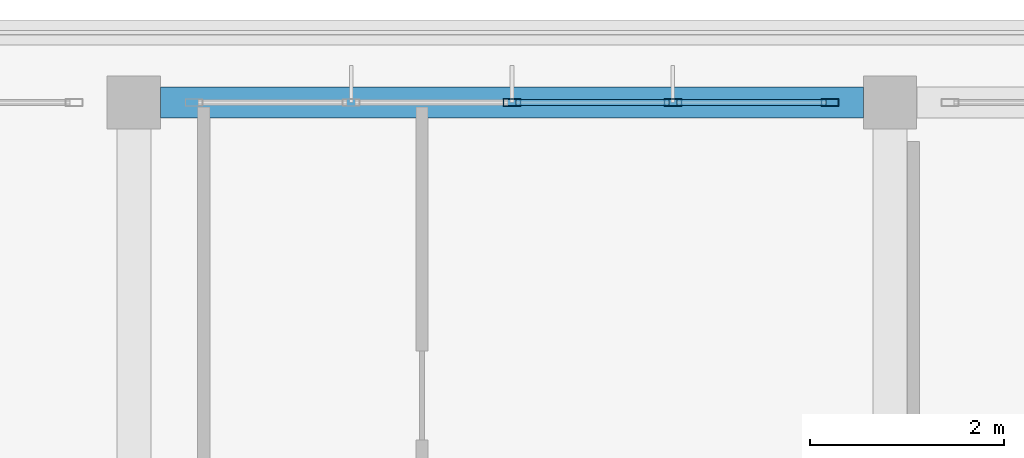
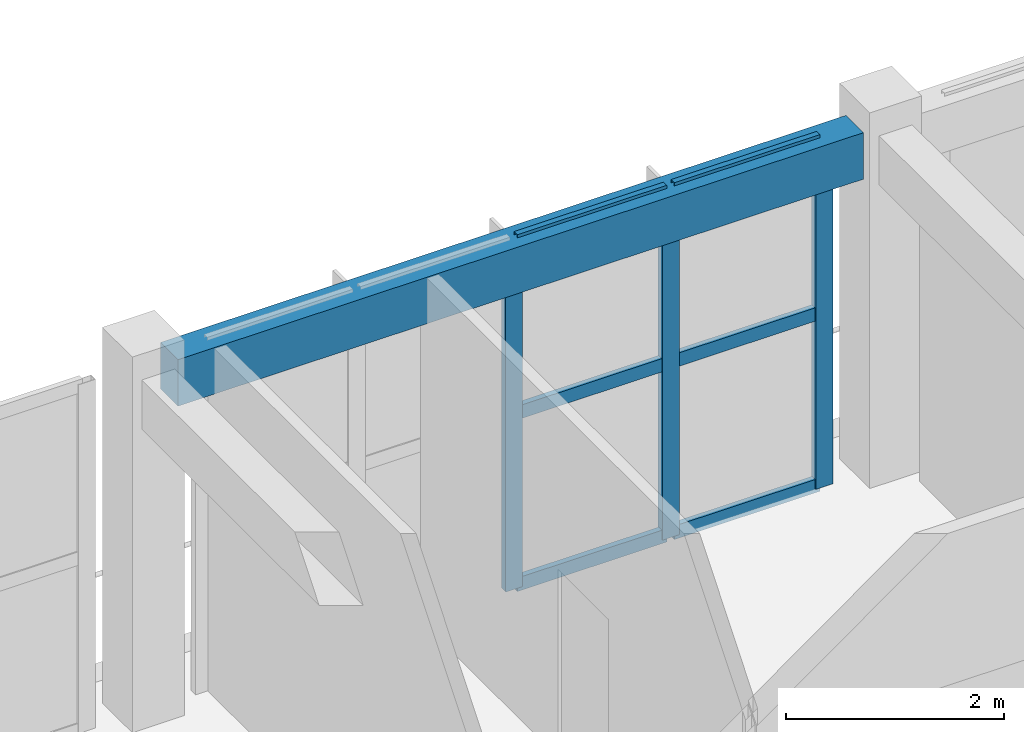
# One storey, part 10 of 33: 9 members, 1 beam, 1 element without a shape of its own.
"""IFC4 building model written with IfcOpenShell, lengths in metres."""

from ifc_helpers import new_model, si_unit, direction, frame, origin, origin_2d, place, context, subcontext, project, spatial, rectangle, hollow_rectangle, extrude, material, layer, layer_set, material_profile, profile_set, type_object, element, aggregate, save


model = new_model("IFC4")

# Units and contexts
model_context = context("Model", 3, precision=1e-05, world=origin(), true_north=direction((0.0, 1.0)))
body_context = subcontext(model_context, "Body", "Model", "MODEL_VIEW")
ifc_project = project(units=[si_unit("LENGTHUNIT", "METRE"), si_unit("AREAUNIT", "SQUARE_METRE"), si_unit("VOLUMEUNIT", "CUBIC_METRE"), si_unit("PLANEANGLEUNIT", "RADIAN"), si_unit("MASSUNIT", "GRAM", prefix="KILO")], contexts=[model_context])

# Site, building, storey
site_placement = place(None, origin())
site = spatial("IfcSite", under=ifc_project, at=site_placement, CompositionType="ELEMENT")
building_placement = place(site_placement, origin())
building = spatial("IfcBuilding", under=site, at=building_placement, Name="Zizhar Promenade General Hospital", CompositionType="ELEMENT")
storey_placement = place(building_placement, frame((0.0, 0.0, 39.0)))
storey = spatial("IfcBuildingStorey", under=building, at=storey_placement, Name="L09", CompositionType="ELEMENT", Elevation=39.0)

# Beam
ifc_material_1 = material(Name="Concrete C35/45", Category="concrete")
ifc_material_profile_1 = material_profile(ifc_material_1, rectangle(XDim=0.320068359375, YDim=0.52001953125, at=origin_2d()))
ifc_profile_set_1 = profile_set([ifc_material_profile_1], Name="Concrete C35/45")
beam_type = type_object("IfcBeamType", Name="BM-RC-320x520", PredefinedType="LINTEL", material=ifc_profile_set_1)
beam_placement = place(storey_placement, frame((62.675048828125, 25.199951171875, 3.64990234375), z_axis=(1.0, 0.0, 0.0), x_axis=(0.0, 1.0, 0.0)))
element("IfcBeam", 1, at=beam_placement, inside=storey, type_object=beam_type, Name="Grid Beam X L09 (8-3)", PredefinedType="LINTEL", context=body_context, shape_type="SweptSolid", body=[
    extrude(rectangle(XDim=0.320068359375, YDim=0.52001953125, at=origin_2d()), origin(), (0.0, 0.0, 1.0), 7.25),
])

# Curtain wall, members
ifc_material_2 = material(Name="Anodised aluminium 6063-T6 and low-E glass", Category="aluminium")
ifc_layer = layer(ifc_material_2, 0.159912109375)
ifc_layer_set = layer_set([ifc_layer], Name="Anodised aluminium 6063-T6 and low-E glass")
curtain_wall_type = type_object("IfcCurtainWallType", Name="CW-WARD-RIB", PredefinedType="NOTDEFINED", material=ifc_layer_set)
curtain_wall_placement = place(storey_placement, origin())
curtain_wall = element("IfcCurtainWall", 2, at=curtain_wall_placement, inside=storey, type_object=curtain_wall_type, Name="Ward Ribbon Curtain Wall L09-8-1", PredefinedType="NOTDEFINED")
ifc_material_3 = material(Name="Anodised aluminium 6063-T6", Category="aluminium")
ifc_material_profile_2 = material_profile(ifc_material_3, hollow_rectangle(XDim=0.080078125, YDim=0.179931640625, WallThickness=0.0048828125, at=origin_2d()))
ifc_profile_set_2 = profile_set([ifc_material_profile_2], Name="Anodised aluminium 6063-T6")
member_type_1 = type_object("IfcMemberType", Name="CWM-ALU-180x80", PredefinedType="MULLION", material=ifc_profile_set_2)
member_1_placement = place(storey_placement, frame((66.300048828125, 25.199951171875, 0.0), z_axis=(0.0, 0.0, 1.0), x_axis=(0.0, 1.0, 0.0)))
member_1 = element("IfcMember", 3, at=member_1_placement, type_object=member_type_1, Name="CW-13 mullion 3", PredefinedType="MULLION", context=body_context, shape_type="SweptSolid", body=[
    extrude(hollow_rectangle(XDim=0.080078125, YDim=0.179931640625, WallThickness=0.0048828125, at=origin_2d()), origin(), (0.0, 0.0, 1.0), 3.89990234375),
])
member_2_placement = place(storey_placement, frame((67.9599609375, 25.199951171875, 0.0), z_axis=(0.0, 0.0, 1.0), x_axis=(0.0, 1.0, 0.0)))
member_2 = element("IfcMember", 4, at=member_2_placement, type_object=member_type_1, Name="CW-13 mullion 4", PredefinedType="MULLION", context=body_context, shape_type="SweptSolid", body=[
    extrude(hollow_rectangle(XDim=0.080078125, YDim=0.179931640625, WallThickness=0.0048828125, at=origin_2d()), origin(), (0.0, 0.0, 1.0), 3.89990234375),
])
member_3_placement = place(storey_placement, frame((69.580078125, 25.199951171875, 0.0), z_axis=(0.0, 0.0, 1.0), x_axis=(0.0, 1.0, 0.0)))
member_3 = element("IfcMember", 5, at=member_3_placement, type_object=member_type_1, Name="CW-13 mullion 5", PredefinedType="MULLION", context=body_context, shape_type="SweptSolid", body=[
    extrude(hollow_rectangle(XDim=0.080078125, YDim=0.179931640625, WallThickness=0.0048828125, at=origin_2d()), origin(), (0.0, 0.0, 1.0), 3.89990234375),
])
ifc_material_4 = material(Name="Anodised aluminium 6063-T6", Category="aluminium")
ifc_material_profile_3 = material_profile(ifc_material_4, hollow_rectangle(XDim=0.06005859375, YDim=0.14990234375, WallThickness=0.00390625, at=origin_2d()))
ifc_profile_set_3 = profile_set([ifc_material_profile_3], Name="Anodised aluminium 6063-T6")
member_type_2 = type_object("IfcMemberType", Name="CWT-ALU-150x60", PredefinedType="USERDEFINED", material=ifc_profile_set_3)
member_4_placement = place(storey_placement, frame((66.340087890625, 25.199951171875, 0.030029296875), z_axis=(1.0, 0.0, 0.0), x_axis=(0.0, 1.0, 0.0)))
member_4 = element("IfcMember", 6, at=member_4_placement, type_object=member_type_2, Name="CW-13 transom 3.1", ObjectType="TRANSOM", PredefinedType="USERDEFINED", context=body_context, shape_type="SweptSolid", body=[
    extrude(hollow_rectangle(XDim=0.06005859375, YDim=0.14990234375, WallThickness=0.00390625, at=origin_2d()), origin(), (0.0, 0.0, 1.0), 1.579833984375),
])
member_5_placement = place(storey_placement, frame((66.340087890625, 25.199951171875, 1.949951171875), z_axis=(1.0, 0.0, 0.0), x_axis=(0.0, 1.0, 0.0)))
member_5 = element("IfcMember", 7, at=member_5_placement, type_object=member_type_2, Name="CW-13 transom 3.2", ObjectType="TRANSOM", PredefinedType="USERDEFINED", context=body_context, shape_type="SweptSolid", body=[
    extrude(hollow_rectangle(XDim=0.06005859375, YDim=0.14990234375, WallThickness=0.00390625, at=origin_2d()), origin(), (0.0, 0.0, 1.0), 1.579833984375),
])
member_6_placement = place(storey_placement, frame((66.340087890625, 25.199951171875, 3.8701171875), z_axis=(1.0, 0.0, 0.0), x_axis=(0.0, 1.0, 0.0)))
member_6 = element("IfcMember", 8, at=member_6_placement, type_object=member_type_2, Name="CW-13 transom 3.3", ObjectType="TRANSOM", PredefinedType="USERDEFINED", context=body_context, shape_type="SweptSolid", body=[
    extrude(hollow_rectangle(XDim=0.06005859375, YDim=0.14990234375, WallThickness=0.00390625, at=origin_2d()), origin(), (0.0, 0.0, 1.0), 1.579833984375),
])
member_7_placement = place(storey_placement, frame((68.0, 25.199951171875, 0.030029296875), z_axis=(1.0, 0.0, 0.0), x_axis=(0.0, 1.0, 0.0)))
member_7 = element("IfcMember", 9, at=member_7_placement, type_object=member_type_2, Name="CW-13 transom 4.1", ObjectType="TRANSOM", PredefinedType="USERDEFINED", context=body_context, shape_type="SweptSolid", body=[
    extrude(hollow_rectangle(XDim=0.06005859375, YDim=0.14990234375, WallThickness=0.00390625, at=origin_2d()), origin(), (0.0, 0.0, 1.0), 1.5400390625),
])
member_8_placement = place(storey_placement, frame((68.0, 25.199951171875, 1.949951171875), z_axis=(1.0, 0.0, 0.0), x_axis=(0.0, 1.0, 0.0)))
member_8 = element("IfcMember", 10, at=member_8_placement, type_object=member_type_2, Name="CW-13 transom 4.2", ObjectType="TRANSOM", PredefinedType="USERDEFINED", context=body_context, shape_type="SweptSolid", body=[
    extrude(hollow_rectangle(XDim=0.06005859375, YDim=0.14990234375, WallThickness=0.00390625, at=origin_2d()), origin(), (0.0, 0.0, 1.0), 1.5400390625),
])
member_9_placement = place(storey_placement, frame((68.0, 25.199951171875, 3.8701171875), z_axis=(1.0, 0.0, 0.0), x_axis=(0.0, 1.0, 0.0)))
member_9 = element("IfcMember", 11, at=member_9_placement, type_object=member_type_2, Name="CW-13 transom 4.3", ObjectType="TRANSOM", PredefinedType="USERDEFINED", context=body_context, shape_type="SweptSolid", body=[
    extrude(hollow_rectangle(XDim=0.06005859375, YDim=0.14990234375, WallThickness=0.00390625, at=origin_2d()), origin(), (0.0, 0.0, 1.0), 1.5400390625),
])
aggregate(curtain_wall, [member_1, member_2, member_3, member_4, member_5, member_6, member_7, member_8, member_9])

save(model, "model.ifc")
